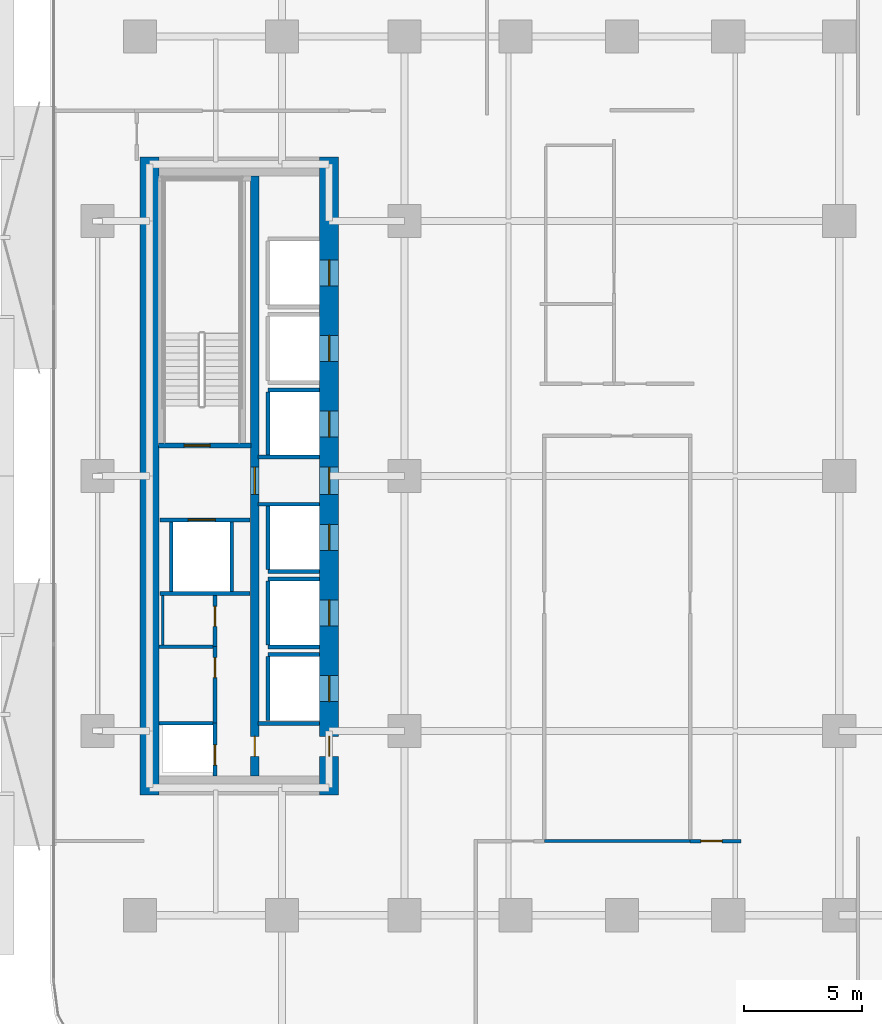
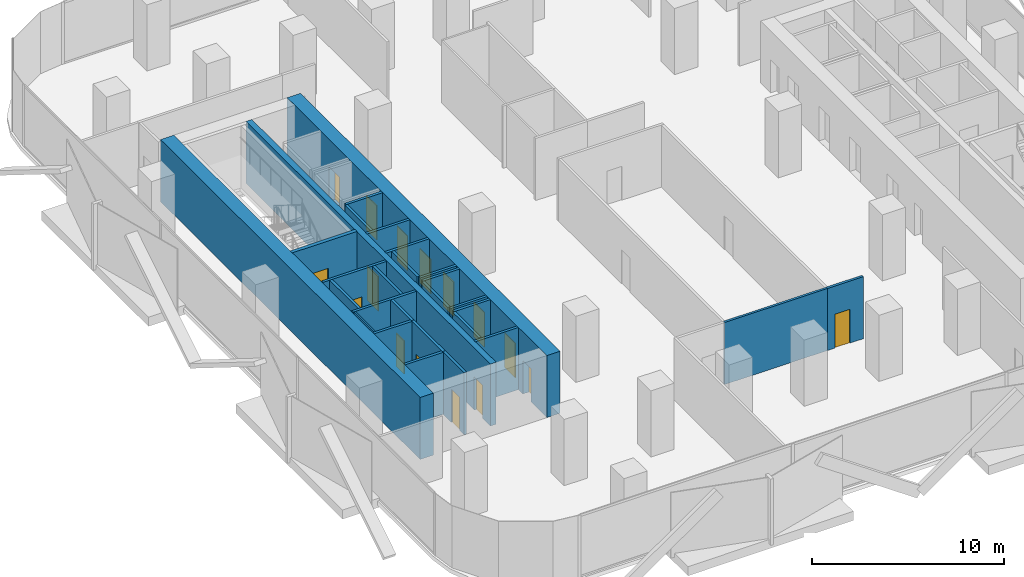
# One storey, part 3 of 15: 28 walls, 16 doors, 16 openings.
"""IFC4 building model written with IfcOpenShell, lengths in metres."""

from ifc_helpers import new_model, si_unit, direction, frame, frame_2d, origin, place, context, subcontext, project, spatial, rectangle, extrude, material, layer, layer_set, type_object, element, fill, save


model = new_model("IFC4")

# Units and contexts
model_context = context("Model", 3, precision=1e-05, world=origin(), true_north=direction((0.0, 1.0)))
body_context = subcontext(model_context, "Body", "Model", "MODEL_VIEW")
ifc_project = project(units=[si_unit("LENGTHUNIT", "METRE"), si_unit("AREAUNIT", "SQUARE_METRE"), si_unit("VOLUMEUNIT", "CUBIC_METRE"), si_unit("PLANEANGLEUNIT", "RADIAN"), si_unit("MASSUNIT", "GRAM", prefix="KILO")], contexts=[model_context])

# Site, building, storey
site_placement = place(None, origin())
site = spatial("IfcSite", under=ifc_project, at=site_placement, CompositionType="ELEMENT")
building_placement = place(site_placement, origin())
building = spatial("IfcBuilding", under=site, at=building_placement, Name="Khairoan Windgate Tower", CompositionType="ELEMENT")
storey_placement = place(building_placement, frame((0.0, 0.0, 38.60009765625)))
storey = spatial("IfcBuildingStorey", under=building, at=storey_placement, Name="L09", CompositionType="ELEMENT", Elevation=38.60009765625)

# Walls
ifc_material_1 = material(Name="Moisture-Resistant Gypsum Partition", Category="gypsum")
ifc_layer_1 = layer(ifc_material_1, 0.10009765625, Name="Moisture-Resistant Gypsum Partition")
ifc_layer_set_1 = layer_set([ifc_layer_1], Name="Moisture-Resistant Gypsum Partition")
wall_type_1 = type_object("IfcWallType", Name="Bathroom Wet-Area Partition Wall", PredefinedType="PARTITIONING", material=ifc_layer_set_1)
wall_1_placement = place(storey_placement, frame((-19.449951171875, -7.14990234375, 0.0), z_axis=(0.0, 0.0, 1.0), x_axis=(0.0, 1.0, 0.0)))
element("IfcWall", 1, at=wall_1_placement, inside=storey, type_object=wall_type_1, Name="L09 Wet Room Side Wall 036", PredefinedType="PARTITIONING", context=body_context, shape_type="SweptSolid", body=[
    extrude(rectangle(XDim=2.08984375, YDim=0.10009765625, at=frame_2d((1.044921875, 0.0))), origin(), (0.0, 0.0, 1.0), 3.93994140625),
])
ifc_material_2 = material(Name="Concrete C40/50", Category="concrete")
ifc_layer_2 = layer(ifc_material_2, 0.159912109375, Name="Concrete C40/50")
ifc_layer_set_2 = layer_set([ifc_layer_2], Name="Concrete C40/50")
wall_type_2 = type_object("IfcWallType", Name="Core and Hoistway Enclosure Wall", PredefinedType="STANDARD", material=ifc_layer_set_2)
wall_2_placement = place(storey_placement, frame((-14.989990234375, 3.639892578125, 0.0), z_axis=(0.0, 0.0, 1.0), x_axis=(1.0, 0.0, 0.0)))
element("IfcWall", 2, at=wall_2_placement, inside=storey, type_object=wall_type_2, Name="L09 Lift PL3 Hoistway Divider N", PredefinedType="STANDARD", context=body_context, shape_type="SweptSolid", body=[
    extrude(rectangle(XDim=2.18994140625, YDim=0.159912109375, at=frame_2d((1.094970703125, 0.0))), origin(), (0.0, 0.0, 1.0), 3.93994140625),
])
wall_3_placement = place(storey_placement, frame((-14.989990234375, 0.85009765625, 0.0), z_axis=(0.0, 0.0, 1.0), x_axis=(0.0, 1.0, 0.0)))
element("IfcWall", 3, at=wall_3_placement, inside=storey, type_object=wall_type_2, Name="L09 Lift PL3 Hoistway Back Wall", PredefinedType="STANDARD", context=body_context, shape_type="SweptSolid", body=[
    extrude(rectangle(XDim=2.699951171875, YDim=0.159912109375, at=frame_2d((1.35009765625, 0.0))), origin(), (0.0, 0.0, 1.0), 3.93994140625),
])
wall_4_placement = place(storey_placement, frame((-14.989990234375, -4.0400390625, 0.0), z_axis=(0.0, 0.0, 1.0), x_axis=(1.0, 0.0, 0.0)))
element("IfcWall", 4, at=wall_4_placement, inside=storey, type_object=wall_type_2, Name="L09 Lift PL4 Hoistway Divider S", PredefinedType="STANDARD", context=body_context, shape_type="SweptSolid", body=[
    extrude(rectangle(XDim=2.18994140625, YDim=0.159912109375, at=frame_2d((1.094970703125, 0.0))), origin(), (0.0, 0.0, 1.0), 3.93994140625),
])
wall_5_placement = place(storey_placement, frame((-14.989990234375, -3.949951171875, 0.0), z_axis=(0.0, 0.0, 1.0), x_axis=(0.0, 1.0, 0.0)))
element("IfcWall", 5, at=wall_5_placement, inside=storey, type_object=wall_type_2, Name="L09 Lift PL4 Hoistway Back Wall", PredefinedType="STANDARD", context=body_context, shape_type="SweptSolid", body=[
    extrude(rectangle(XDim=2.699951171875, YDim=0.159912109375, at=frame_2d((1.35009765625, 0.0))), origin(), (0.0, 0.0, 1.0), 3.93994140625),
])
for number, where, z_axis, x_axis, name in (
    (6, (-14.989990234375, -7.239990234375, 0.0), (0.0, 0.0, 1.0), (1.0, 0.0, 0.0), "L09 Lift PL5 Hoistway Divider S"),
    (7, (-14.989990234375, -4.360107421875, 0.0), (0.0, 0.0, 1.0), (1.0, 0.0, 0.0), "L09 Lift PL5 Hoistway Divider N"),
):
    element("IfcWall", number, at=place(storey_placement, frame(where, z_axis=z_axis, x_axis=x_axis)), inside=storey, type_object=wall_type_2, Name=name, PredefinedType="STANDARD", context=body_context, shape_type="SweptSolid", body=[
        extrude(rectangle(XDim=2.18994140625, YDim=0.159912109375, at=frame_2d((1.094970703125, 0.0))), origin(), (0.0, 0.0, 1.0), 3.93994140625),
    ])
wall_6_placement = place(storey_placement, frame((-14.989990234375, -7.14990234375, 0.0), z_axis=(0.0, 0.0, 1.0), x_axis=(0.0, 1.0, 0.0)))
element("IfcWall", 8, at=wall_6_placement, inside=storey, type_object=wall_type_2, Name="L09 Lift PL5 Hoistway Back Wall", PredefinedType="STANDARD", context=body_context, shape_type="SweptSolid", body=[
    extrude(rectangle(XDim=2.699951171875, YDim=0.159912109375, at=frame_2d((1.35009765625, 0.0))), origin(), (0.0, 0.0, 1.0), 3.93994140625),
])
wall_7_placement = place(storey_placement, frame((-14.989990234375, -7.56005859375, 0.0), z_axis=(0.0, 0.0, 1.0), x_axis=(1.0, 0.0, 0.0)))
element("IfcWall", 9, at=wall_7_placement, inside=storey, type_object=wall_type_2, Name="L09 Lift PL6 Hoistway Divider N", PredefinedType="STANDARD", context=body_context, shape_type="SweptSolid", body=[
    extrude(rectangle(XDim=2.18994140625, YDim=0.159912109375, at=frame_2d((1.094970703125, 0.0))), origin(), (0.0, 0.0, 1.0), 3.93994140625),
])
wall_8_placement = place(storey_placement, frame((-14.989990234375, -10.35009765625, 0.0), z_axis=(0.0, 0.0, 1.0), x_axis=(0.0, 1.0, 0.0)))
element("IfcWall", 10, at=wall_8_placement, inside=storey, type_object=wall_type_2, Name="L09 Lift PL6 Hoistway Back Wall", PredefinedType="STANDARD", context=body_context, shape_type="SweptSolid", body=[
    extrude(rectangle(XDim=2.7001953125, YDim=0.159912109375, at=frame_2d((1.35009765625, 0.0))), origin(), (0.0, 0.0, 1.0), 3.93994140625),
])

# Wall, opening, door
wall_9_placement = place(storey_placement, frame((-19.550048828125, -1.860107421875, 0.0), z_axis=(0.0, 0.0, 1.0), x_axis=(1.0, 0.0, 0.0)))
wall_9 = element("IfcWall", 11, at=wall_9_placement, inside=storey, type_object=wall_type_2, Name="L09 Core Shaft Wall SW-FL2-L09", PredefinedType="STANDARD", context=body_context, shape_type="SweptSolid", body=[
    extrude(rectangle(XDim=3.800048828125, YDim=0.159912109375, at=frame_2d((1.89990234375, 0.0))), origin(), (0.0, 0.0, 1.0), 3.93994140625),
])
opening_1_placement = place(wall_9_placement, frame((1.179931640625, 0.0, 0.0)))
opening_1 = element("IfcOpeningElement", 12, at=opening_1_placement, cuts=wall_9, Name="Opening LD-FL", PredefinedType="OPENING", context=body_context, shape_type="SweptSolid", body=[
    extrude(rectangle(XDim=1.14990234375, YDim=2.199951171875, at=frame_2d((0.574951171875, 1.10009765625))), frame((0.0, 0.08984375, 0.0), z_axis=(0.0, -1.0, 0.0), x_axis=(1.0, 0.0, 0.0)), (0.0, 0.0, 1.0), 0.179931640625),
])
ifc_material_3 = material(Name="Steel S355", Category="steel")
door_type_1 = type_object("IfcDoorType", Name="Firefighting Lift Sliding Landing Door LD-FL 1150x2200", OperationType="DOUBLE_DOOR_SLIDING", PredefinedType="DOOR", material=ifc_material_3)
door_1_placement = place(opening_1_placement, origin())
door_1 = element("IfcDoor", 13, at=door_1_placement, inside=storey, type_object=door_type_1, Name="L09 Firefighting Lift FL2 Landing Door", OperationType="DOUBLE_DOOR_SLIDING", OverallHeight=2.199951171875, OverallWidth=1.14990234375, PredefinedType="DOOR", context=body_context, shape_type="SweptSolid", body=[
    extrude(rectangle(XDim=1.14990234375, YDim=2.199951171875, at=frame_2d((0.574951171875, 1.10009765625))), frame((0.0, 0.02490234375, 0.0), z_axis=(0.0, -1.0, 0.0), x_axis=(1.0, 0.0, 0.0)), (0.0, 0.0, 1.0), 0.050048828125),
])
fill(opening_1, door_1)

# Walls
wall_10_placement = place(storey_placement, frame((-19.550048828125, -4.97998046875, 0.0), z_axis=(0.0, 0.0, 1.0), x_axis=(1.0, 0.0, 0.0)))
element("IfcWall", 14, at=wall_10_placement, inside=storey, type_object=wall_type_2, Name="L09 Core Shaft Wall SW-FL2B-L09", PredefinedType="STANDARD", context=body_context, shape_type="SweptSolid", body=[
    extrude(rectangle(XDim=3.800048828125, YDim=0.159912109375, at=frame_2d((1.89990234375, 0.0))), origin(), (0.0, 0.0, 1.0), 3.93994140625),
])
for number, where, z_axis, x_axis, name in (
    (15, (-19.080078125, -4.89990234375, 0.0), (0.0, 0.0, 1.0), (0.0, 1.0, 0.0), "L09 Core Shaft Wall SW-FL2W-L09"),
    (16, (-16.52001953125, -4.89990234375, 0.0), (0.0, 0.0, 1.0), (0.0, 1.0, 0.0), "L09 Core Shaft Wall SW-FL2E-L09"),
):
    element("IfcWall", number, at=place(storey_placement, frame(where, z_axis=z_axis, x_axis=x_axis)), inside=storey, type_object=wall_type_2, Name=name, PredefinedType="STANDARD", context=body_context, shape_type="SweptSolid", body=[
        extrude(rectangle(XDim=2.9599609375, YDim=0.159912109375, at=frame_2d((1.47998046875, 0.0))), origin(), (0.0, 0.0, 1.0), 3.93994140625),
    ])
for number, where, z_axis, x_axis, name in (
    (17, (-15.39990234375, 0.800048828125, 0.0), (0.0, 0.0, 1.0), (1.0, 0.0, 0.0), "L09 Core Shaft Wall SW-WV1-L09"),
    (18, (-15.39990234375, -1.199951171875, 0.0), (0.0, 0.0, 1.0), (1.0, 0.0, 0.0), "L09 Core Shaft Wall SW-WV2-L09"),
    (19, (-15.39990234375, -10.47998046875, 0.0), (0.0, 0.0, 1.0), (1.0, 0.0, 0.0), "L09 Core Shaft Wall SW-WSV-L09"),
):
    element("IfcWall", number, at=place(storey_placement, frame(where, z_axis=z_axis, x_axis=x_axis)), inside=storey, type_object=wall_type_2, Name=name, PredefinedType="STANDARD", context=body_context, shape_type="SweptSolid", body=[
        extrude(rectangle(XDim=2.599853515625, YDim=0.159912109375, at=frame_2d((1.2998046875, 0.0))), origin(), (0.0, 0.0, 1.0), 3.93994140625),
    ])
ifc_material_4 = material(Name="Acoustic Fire-Rated Gypsum Partition", Category="gypsum")
ifc_layer_3 = layer(ifc_material_4, 0.139892578125, Name="Acoustic Fire-Rated Gypsum Partition")
ifc_layer_set_3 = layer_set([ifc_layer_3], Name="Acoustic Fire-Rated Gypsum Partition")
wall_type_3 = type_object("IfcWallType", Name="Inter-Tenancy Compartment Wall", PredefinedType="PARTITIONING", material=ifc_layer_set_3)
wall_11_placement = place(storey_placement, frame((-3.284912109375, -15.4599609375, 0.0), z_axis=(0.0, 0.0, 1.0), x_axis=(1.0, 0.0, 0.0)))
element("IfcWall", 20, at=wall_11_placement, inside=storey, type_object=wall_type_3, Name="L09 Interior Partition 032", PredefinedType="PARTITIONING", context=body_context, shape_type="SweptSolid", body=[
    extrude(rectangle(XDim=6.169921875, YDim=0.139892578125, at=frame_2d((3.0849609375, 0.0))), origin(), (0.0, 0.0, 1.0), 3.93994140625),
])

# Wall, opening, door
ifc_material_5 = material(Name="Concrete C40/50", Category="concrete")
ifc_layer_4 = layer(ifc_material_5, 0.159912109375, Name="Concrete C40/50")
ifc_layer_set_4 = layer_set([ifc_layer_4], Name="Concrete C40/50")
wall_type_4 = type_object("IfcWallType", Name="Plant and Refuge Compartment Wall", PredefinedType="PARTITIONING", material=ifc_layer_set_4)
wall_12_placement = place(storey_placement, frame((-17.22998046875, -12.699951171875, 0.0), z_axis=(0.0, 0.0, 1.0), x_axis=(0.0, 1.0, 0.0)))
wall_12 = element("IfcWall", 21, at=wall_12_placement, inside=storey, type_object=wall_type_4, Name="L09 Interior Partition 001", PredefinedType="PARTITIONING", context=body_context, shape_type="SweptSolid", body=[
    extrude(rectangle(XDim=2.22998046875, YDim=0.159912109375, at=frame_2d((1.114990234375, 0.0))), origin(), (0.0, 0.0, 1.0), 3.93994140625),
])
opening_2_placement = place(wall_12_placement, frame((0.4599609375, 0.0, 0.0)))
opening_2 = element("IfcOpeningElement", 22, at=opening_2_placement, cuts=wall_12, Name="Opening FD-SRV", PredefinedType="OPENING", context=body_context, shape_type="SweptSolid", body=[
    extrude(rectangle(XDim=0.85009765625, YDim=2.10009765625, at=frame_2d((0.425048828125, 1.050048828125))), frame((0.0, 0.08984375, 0.0), z_axis=(0.0, -1.0, 0.0), x_axis=(1.0, 0.0, 0.0)), (0.0, 0.0, 1.0), 0.179931640625),
])
ifc_material_6 = material(Name="Steel S355", Category="steel")
door_type_2 = type_object("IfcDoorType", Name="Core Service and Riser Fire Door FD-SRV 850x2100", OperationType="NOTDEFINED", PredefinedType="DOOR", material=ifc_material_6)
door_2_placement = place(opening_2_placement, origin())
door_2 = element("IfcDoor", 23, at=door_2_placement, inside=storey, type_object=door_type_2, Name="L09 L09-04-L09-05 Door", OperationType="SINGLE_SWING_RIGHT", OverallHeight=2.10009765625, OverallWidth=0.85009765625, PredefinedType="DOOR", context=body_context, shape_type="SweptSolid", body=[
    extrude(rectangle(XDim=0.85009765625, YDim=2.10009765625, at=frame_2d((0.425048828125, 1.050048828125))), frame((0.0, 0.02490234375, 0.0), z_axis=(0.0, -1.0, 0.0), x_axis=(1.0, 0.0, 0.0)), (0.0, 0.0, 1.0), 0.050048828125),
])
fill(opening_2, door_2)

wall_13_placement = place(storey_placement, frame((-17.22998046875, -7.22998046875, 0.0), z_axis=(0.0, 0.0, 1.0), x_axis=(0.0, 1.0, 0.0)))
wall_13 = element("IfcWall", 24, at=wall_13_placement, inside=storey, type_object=wall_type_4, Name="L09 Interior Partition 002", PredefinedType="PARTITIONING", context=body_context, shape_type="SweptSolid", body=[
    extrude(rectangle(XDim=2.169921875, YDim=0.159912109375, at=frame_2d((1.0849609375, 0.0))), origin(), (0.0, 0.0, 1.0), 3.93994140625),
])
opening_3_placement = place(wall_13_placement, frame((0.860107421875, 0.0, 0.0)))
opening_3 = element("IfcOpeningElement", 25, at=opening_3_placement, cuts=wall_13, Name="Opening FD-SRV", PredefinedType="OPENING", context=body_context, shape_type="SweptSolid", body=[
    extrude(rectangle(XDim=0.85009765625, YDim=2.10009765625, at=frame_2d((0.425048828125, 1.050048828125))), frame((0.0, 0.08984375, 0.0), z_axis=(0.0, -1.0, 0.0), x_axis=(1.0, 0.0, 0.0)), (0.0, 0.0, 1.0), 0.179931640625),
])
door_3_placement = place(opening_3_placement, origin())
door_3 = element("IfcDoor", 26, at=door_3_placement, inside=storey, type_object=door_type_2, Name="L09 L09-04-L09-06 Door", OperationType="SINGLE_SWING_LEFT", OverallHeight=2.10009765625, OverallWidth=0.85009765625, PredefinedType="DOOR", context=body_context, shape_type="SweptSolid", body=[
    extrude(rectangle(XDim=0.85009765625, YDim=2.10009765625, at=frame_2d((0.425048828125, 1.050048828125))), frame((0.0, 0.02490234375, 0.0), z_axis=(0.0, -1.0, 0.0), x_axis=(1.0, 0.0, 0.0)), (0.0, 0.0, 1.0), 0.050048828125),
])
fill(opening_3, door_3)

wall_14_placement = place(storey_placement, frame((-17.22998046875, -10.469970703125, 0.0), z_axis=(0.0, 0.0, 1.0), x_axis=(0.0, 1.0, 0.0)))
wall_14 = element("IfcWall", 27, at=wall_14_placement, inside=storey, type_object=wall_type_4, Name="L09 Interior Partition 003", PredefinedType="PARTITIONING", context=body_context, shape_type="SweptSolid", body=[
    extrude(rectangle(XDim=3.239990234375, YDim=0.159912109375, at=frame_2d((1.6201171875, 0.0))), origin(), (0.0, 0.0, 1.0), 3.93994140625),
])
opening_4_placement = place(wall_14_placement, frame((1.929931640625, 0.0, 0.0)))
opening_4 = element("IfcOpeningElement", 28, at=opening_4_placement, cuts=wall_14, Name="Opening FD-SRV", PredefinedType="OPENING", context=body_context, shape_type="SweptSolid", body=[
    extrude(rectangle(XDim=0.85009765625, YDim=2.10009765625, at=frame_2d((0.425048828125, 1.050048828125))), frame((0.0, 0.08984375, 0.0), z_axis=(0.0, -1.0, 0.0), x_axis=(1.0, 0.0, 0.0)), (0.0, 0.0, 1.0), 0.179931640625),
])
door_4_placement = place(opening_4_placement, origin())
door_4 = element("IfcDoor", 29, at=door_4_placement, inside=storey, type_object=door_type_2, Name="L09 L09-04-L09-07 Door", OperationType="SINGLE_SWING_RIGHT", OverallHeight=2.10009765625, OverallWidth=0.85009765625, PredefinedType="DOOR", context=body_context, shape_type="SweptSolid", body=[
    extrude(rectangle(XDim=0.85009765625, YDim=2.10009765625, at=frame_2d((0.425048828125, 1.050048828125))), frame((0.0, 0.02490234375, 0.0), z_axis=(0.0, -1.0, 0.0), x_axis=(1.0, 0.0, 0.0)), (0.0, 0.0, 1.0), 0.050048828125),
])
fill(opening_4, door_4)

# Walls
for number, where, z_axis, x_axis, name in (
    (30, (-19.60009765625, -10.469970703125, 0.0), (0.0, 0.0, 1.0), (1.0, 0.0, 0.0), "L09 Interior Partition 004"),
    (31, (-19.60009765625, -7.22998046875, 0.0), (0.0, 0.0, 1.0), (1.0, 0.0, 0.0), "L09 Interior Partition 005"),
):
    element("IfcWall", number, at=place(storey_placement, frame(where, z_axis=z_axis, x_axis=x_axis)), inside=storey, type_object=wall_type_4, Name=name, PredefinedType="PARTITIONING", context=body_context, shape_type="SweptSolid", body=[
        extrude(rectangle(XDim=2.2900390625, YDim=0.159912109375, at=frame_2d((1.14501953125, 0.0))), origin(), (0.0, 0.0, 1.0), 3.93994140625),
    ])

# Wall, opening, door
ifc_material_7 = material(Name="Acoustic Fire-Rated Gypsum Partition", Category="gypsum")
ifc_layer_5 = layer(ifc_material_7, 0.14990234375, Name="Acoustic Fire-Rated Gypsum Partition")
ifc_layer_set_5 = layer_set([ifc_layer_5], Name="Acoustic Fire-Rated Gypsum Partition")
wall_type_5 = type_object("IfcWallType", Name="Rated Corridor Partition Wall", PredefinedType="PARTITIONING", material=ifc_layer_set_5)
wall_15_placement = place(storey_placement, frame((2.885009765625, -15.4599609375, 0.0), z_axis=(0.0, 0.0, 1.0), x_axis=(1.0, 0.0, 0.0)))
wall_15 = element("IfcWall", 32, at=wall_15_placement, inside=storey, type_object=wall_type_5, Name="L09 Interior Partition 017", PredefinedType="PARTITIONING", context=body_context, shape_type="SweptSolid", body=[
    extrude(rectangle(XDim=2.155029296875, YDim=0.14990234375, at=frame_2d((1.07763671875, 0.0))), origin(), (0.0, 0.0, 1.0), 3.93994140625),
])
opening_5_placement = place(wall_15_placement, frame((0.4599609375, 0.0, 0.0)))
opening_5 = element("IfcOpeningElement", 33, at=opening_5_placement, cuts=wall_15, Name="Opening FD-ENT", PredefinedType="OPENING", context=body_context, shape_type="SweptSolid", body=[
    extrude(rectangle(XDim=0.89990234375, YDim=2.14990234375, at=frame_2d((0.449951171875, 1.074951171875))), frame((0.0, 0.0849609375, 0.0), z_axis=(0.0, -1.0, 0.0), x_axis=(1.0, 0.0, 0.0)), (0.0, 0.0, 1.0), 0.169921875),
])
ifc_material_8 = material(Name="Timber Fire-Rated Core", Category="wood")
door_type_3 = type_object("IfcDoorType", Name="Unit and Office Fire Entrance Door FD-ENT 900x2150", OperationType="NOTDEFINED", PredefinedType="DOOR", material=ifc_material_8)
door_5_placement = place(opening_5_placement, origin())
door_5 = element("IfcDoor", 34, at=door_5_placement, inside=storey, type_object=door_type_3, Name="L09 L09-33-L09-43 Door", OperationType="SINGLE_SWING_RIGHT", OverallHeight=2.14990234375, OverallWidth=0.89990234375, PredefinedType="DOOR", context=body_context, shape_type="SweptSolid", body=[
    extrude(rectangle(XDim=0.89990234375, YDim=2.14990234375, at=frame_2d((0.449951171875, 1.074951171875))), frame((0.0, 0.02490234375, 0.0), z_axis=(0.0, -1.0, 0.0), x_axis=(1.0, 0.0, 0.0)), (0.0, 0.0, 1.0), 0.050048828125),
])
fill(opening_5, door_5)

# Wall
ifc_material_9 = material(Name="Concrete C70/85", Category="concrete")
ifc_layer_6 = layer(ifc_material_9, 0.800048828125, Name="Concrete C70/85")
ifc_layer_set_6 = layer_set([ifc_layer_6], Name="Concrete C70/85")
wall_type_6 = type_object("IfcWallType", Name="Shear Wall CW-W1 800mm", PredefinedType="SHEAR", material=ifc_layer_set_6)
wall_16_placement = place(storey_placement, frame((-20.0, -13.5, 0.0), z_axis=(0.0, 0.0, 1.0), x_axis=(0.0, 1.0, 0.0)))
element("IfcWall", 35, at=wall_16_placement, inside=storey, type_object=wall_type_6, Name="W Core West Shear Wall L09", PredefinedType="SHEAR", context=body_context, shape_type="SweptSolid", body=[
    extrude(rectangle(XDim=27.0, YDim=0.800048828125, at=frame_2d((13.5, 0.0))), origin(), (0.0, 0.0, 1.0), 3.93994140625),
])

# Wall, openings, doors
wall_17_placement = place(storey_placement, frame((-12.39990234375, -13.5, 0.0), z_axis=(0.0, 0.0, 1.0), x_axis=(0.0, 1.0, 0.0)))
wall_17 = element("IfcWall", 36, at=wall_17_placement, inside=storey, type_object=wall_type_6, Name="W Core East Shear Wall L09", PredefinedType="SHEAR", context=body_context, shape_type="SweptSolid", body=[
    extrude(rectangle(XDim=27.0, YDim=0.800048828125, at=frame_2d((13.5, 0.0))), origin(), (0.0, 0.0, 1.0), 3.93994140625),
])
opening_6_placement = place(wall_17_placement, frame((21.550048828125, 0.0, 0.0)))
opening_6 = element("IfcOpeningElement", 37, at=opening_6_placement, cuts=wall_17, Name="Opening LD-PL", PredefinedType="OPENING", context=body_context, shape_type="SweptSolid", body=[
    extrude(rectangle(XDim=1.10009765625, YDim=2.199951171875, at=frame_2d((0.550048828125, 1.10009765625))), frame((0.0, 0.409912109375, 0.0), z_axis=(0.0, -1.0, 0.0), x_axis=(1.0, 0.0, 0.0)), (0.0, 0.0, 1.0), 0.820068359375),
])
opening_7_placement = place(wall_17_placement, frame((18.35009765625, 0.0, 0.0)))
opening_7 = element("IfcOpeningElement", 38, at=opening_7_placement, cuts=wall_17, Name="Opening LD-PL", PredefinedType="OPENING", context=body_context, shape_type="SweptSolid", body=[
    extrude(rectangle(XDim=1.10009765625, YDim=2.199951171875, at=frame_2d((0.550048828125, 1.10009765625))), frame((0.0, 0.409912109375, 0.0), z_axis=(0.0, -1.0, 0.0), x_axis=(1.0, 0.0, 0.0)), (0.0, 0.0, 1.0), 0.820068359375),
])
opening_8_placement = place(wall_17_placement, frame((15.14990234375, 0.0, 0.0)))
opening_8 = element("IfcOpeningElement", 39, at=opening_8_placement, cuts=wall_17, Name="Opening LD-PL", PredefinedType="OPENING", context=body_context, shape_type="SweptSolid", body=[
    extrude(rectangle(XDim=1.10009765625, YDim=2.199951171875, at=frame_2d((0.550048828125, 1.10009765625))), frame((0.0, 0.409912109375, 0.0), z_axis=(0.0, -1.0, 0.0), x_axis=(1.0, 0.0, 0.0)), (0.0, 0.0, 1.0), 0.820068359375),
])
opening_9_placement = place(wall_17_placement, frame((10.35009765625, 0.0, 0.0)))
opening_9 = element("IfcOpeningElement", 40, at=opening_9_placement, cuts=wall_17, Name="Opening LD-PL", PredefinedType="OPENING", context=body_context, shape_type="SweptSolid", body=[
    extrude(rectangle(XDim=1.10009765625, YDim=2.199951171875, at=frame_2d((0.550048828125, 1.10009765625))), frame((0.0, 0.409912109375, 0.0), z_axis=(0.0, -1.0, 0.0), x_axis=(1.0, 0.0, 0.0)), (0.0, 0.0, 1.0), 0.820068359375),
])
opening_10_placement = place(wall_17_placement, frame((7.14990234375, 0.0, 0.0)))
opening_10 = element("IfcOpeningElement", 41, at=opening_10_placement, cuts=wall_17, Name="Opening LD-PL", PredefinedType="OPENING", context=body_context, shape_type="SweptSolid", body=[
    extrude(rectangle(XDim=1.10009765625, YDim=2.199951171875, at=frame_2d((0.550048828125, 1.10009765625))), frame((0.0, 0.409912109375, 0.0), z_axis=(0.0, -1.0, 0.0), x_axis=(1.0, 0.0, 0.0)), (0.0, 0.0, 1.0), 0.820068359375),
])
opening_11_placement = place(wall_17_placement, frame((3.949951171875, 0.0, 0.0)))
opening_11 = element("IfcOpeningElement", 42, at=opening_11_placement, cuts=wall_17, Name="Opening LD-PL", PredefinedType="OPENING", context=body_context, shape_type="SweptSolid", body=[
    extrude(rectangle(XDim=1.10009765625, YDim=2.199951171875, at=frame_2d((0.550048828125, 1.10009765625))), frame((0.0, 0.409912109375, 0.0), z_axis=(0.0, -1.0, 0.0), x_axis=(1.0, 0.0, 0.0)), (0.0, 0.0, 1.0), 0.820068359375),
])
opening_12_placement = place(wall_17_placement, frame((12.72509765625, 0.0, 0.0)))
opening_12 = element("IfcOpeningElement", 43, at=opening_12_placement, cuts=wall_17, Name="Opening FD-FFL", PredefinedType="OPENING", context=body_context, shape_type="SweptSolid", body=[
    extrude(rectangle(XDim=1.14990234375, YDim=2.199951171875, at=frame_2d((0.574951171875, 1.10009765625))), frame((0.0, 0.409912109375, 0.0), z_axis=(0.0, -1.0, 0.0), x_axis=(1.0, 0.0, 0.0)), (0.0, 0.0, 1.0), 0.820068359375),
])
opening_13_placement = place(wall_17_placement, frame((1.625, 0.0, 0.0)))
opening_13 = element("IfcOpeningElement", 44, at=opening_13_placement, cuts=wall_17, Name="Opening FD-SRV", PredefinedType="OPENING", context=body_context, shape_type="SweptSolid", body=[
    extrude(rectangle(XDim=0.85009765625, YDim=2.10009765625, at=frame_2d((0.425048828125, 1.050048828125))), frame((0.0, 0.409912109375, 0.0), z_axis=(0.0, -1.0, 0.0), x_axis=(1.0, 0.0, 0.0)), (0.0, 0.0, 1.0), 0.820068359375),
])
door_6_placement = place(opening_13_placement, origin())
door_6 = element("IfcDoor", 45, at=door_6_placement, inside=storey, type_object=door_type_2, Name="L09 West Core Service Vestibule Outer Door", OperationType="SINGLE_SWING_RIGHT", OverallHeight=2.10009765625, OverallWidth=0.85009765625, PredefinedType="DOOR", context=body_context, shape_type="SweptSolid", body=[
    extrude(rectangle(XDim=0.85009765625, YDim=2.10009765625, at=frame_2d((0.425048828125, 1.050048828125))), frame((0.0, 0.02490234375, 0.0), z_axis=(0.0, -1.0, 0.0), x_axis=(1.0, 0.0, 0.0)), (0.0, 0.0, 1.0), 0.050048828125),
])
fill(opening_13, door_6)
ifc_material_10 = material(Name="Steel S355", Category="steel")
door_type_4 = type_object("IfcDoorType", Name="Firefighting Lobby Fire Door FD-FFL 1150x2200", OperationType="NOTDEFINED", PredefinedType="DOOR", material=ifc_material_10)
door_7_placement = place(opening_12_placement, origin())
door_7 = element("IfcDoor", 46, at=door_7_placement, inside=storey, type_object=door_type_4, Name="L09 West Core Vestibule Entry Door", OperationType="SINGLE_SWING_RIGHT", OverallHeight=2.199951171875, OverallWidth=1.14990234375, PredefinedType="DOOR", context=body_context, shape_type="SweptSolid", body=[
    extrude(rectangle(XDim=1.14990234375, YDim=2.199951171875, at=frame_2d((0.574951171875, 1.10009765625))), frame((0.0, 0.02490234375, 0.0), z_axis=(0.0, -1.0, 0.0), x_axis=(1.0, 0.0, 0.0)), (0.0, 0.0, 1.0), 0.050048828125),
])
fill(opening_12, door_7)
ifc_material_11 = material(Name="Anodised Bronze Aluminium 6063-T6", Category="aluminium")
door_type_5 = type_object("IfcDoorType", Name="Passenger Lift Sliding Landing Door LD-PL 1100x2200", OperationType="DOUBLE_DOOR_SLIDING", PredefinedType="DOOR", material=ifc_material_11)
door_8_placement = place(opening_6_placement, origin())
door_8 = element("IfcDoor", 47, at=door_8_placement, inside=storey, type_object=door_type_5, Name="L09 Lift PL1 Sliding Landing Door", OperationType="DOUBLE_DOOR_SLIDING", OverallHeight=2.199951171875, OverallWidth=1.10009765625, PredefinedType="DOOR", context=body_context, shape_type="SweptSolid", body=[
    extrude(rectangle(XDim=1.10009765625, YDim=2.199951171875, at=frame_2d((0.550048828125, 1.10009765625))), frame((0.0, 0.02490234375, 0.0), z_axis=(0.0, -1.0, 0.0), x_axis=(1.0, 0.0, 0.0)), (0.0, 0.0, 1.0), 0.050048828125),
])
fill(opening_6, door_8)
door_9_placement = place(opening_7_placement, origin())
door_9 = element("IfcDoor", 48, at=door_9_placement, inside=storey, type_object=door_type_5, Name="L09 Lift PL2 Sliding Landing Door", OperationType="DOUBLE_DOOR_SLIDING", OverallHeight=2.199951171875, OverallWidth=1.10009765625, PredefinedType="DOOR", context=body_context, shape_type="SweptSolid", body=[
    extrude(rectangle(XDim=1.10009765625, YDim=2.199951171875, at=frame_2d((0.550048828125, 1.10009765625))), frame((0.0, 0.02490234375, 0.0), z_axis=(0.0, -1.0, 0.0), x_axis=(1.0, 0.0, 0.0)), (0.0, 0.0, 1.0), 0.050048828125),
])
fill(opening_7, door_9)
door_10_placement = place(opening_8_placement, origin())
door_10 = element("IfcDoor", 49, at=door_10_placement, inside=storey, type_object=door_type_5, Name="L09 Lift PL3 Sliding Landing Door", OperationType="DOUBLE_DOOR_SLIDING", OverallHeight=2.199951171875, OverallWidth=1.10009765625, PredefinedType="DOOR", context=body_context, shape_type="SweptSolid", body=[
    extrude(rectangle(XDim=1.10009765625, YDim=2.199951171875, at=frame_2d((0.550048828125, 1.10009765625))), frame((0.0, 0.02490234375, 0.0), z_axis=(0.0, -1.0, 0.0), x_axis=(1.0, 0.0, 0.0)), (0.0, 0.0, 1.0), 0.050048828125),
])
fill(opening_8, door_10)
door_11_placement = place(opening_9_placement, origin())
door_11 = element("IfcDoor", 50, at=door_11_placement, inside=storey, type_object=door_type_5, Name="L09 Lift PL4 Sliding Landing Door", OperationType="DOUBLE_DOOR_SLIDING", OverallHeight=2.199951171875, OverallWidth=1.10009765625, PredefinedType="DOOR", context=body_context, shape_type="SweptSolid", body=[
    extrude(rectangle(XDim=1.10009765625, YDim=2.199951171875, at=frame_2d((0.550048828125, 1.10009765625))), frame((0.0, 0.02490234375, 0.0), z_axis=(0.0, -1.0, 0.0), x_axis=(1.0, 0.0, 0.0)), (0.0, 0.0, 1.0), 0.050048828125),
])
fill(opening_9, door_11)
door_12_placement = place(opening_10_placement, origin())
door_12 = element("IfcDoor", 51, at=door_12_placement, inside=storey, type_object=door_type_5, Name="L09 Lift PL5 Sliding Landing Door", OperationType="DOUBLE_DOOR_SLIDING", OverallHeight=2.199951171875, OverallWidth=1.10009765625, PredefinedType="DOOR", context=body_context, shape_type="SweptSolid", body=[
    extrude(rectangle(XDim=1.10009765625, YDim=2.199951171875, at=frame_2d((0.550048828125, 1.10009765625))), frame((0.0, 0.02490234375, 0.0), z_axis=(0.0, -1.0, 0.0), x_axis=(1.0, 0.0, 0.0)), (0.0, 0.0, 1.0), 0.050048828125),
])
fill(opening_10, door_12)
door_13_placement = place(opening_11_placement, origin())
door_13 = element("IfcDoor", 52, at=door_13_placement, inside=storey, type_object=door_type_5, Name="L09 Lift PL6 Sliding Landing Door", OperationType="DOUBLE_DOOR_SLIDING", OverallHeight=2.199951171875, OverallWidth=1.10009765625, PredefinedType="DOOR", context=body_context, shape_type="SweptSolid", body=[
    extrude(rectangle(XDim=1.10009765625, YDim=2.199951171875, at=frame_2d((0.550048828125, 1.10009765625))), frame((0.0, 0.02490234375, 0.0), z_axis=(0.0, -1.0, 0.0), x_axis=(1.0, 0.0, 0.0)), (0.0, 0.0, 1.0), 0.050048828125),
])
fill(opening_11, door_13)

ifc_material_12 = material(Name="Concrete C60/75", Category="concrete")
ifc_layer_7 = layer(ifc_material_12, 0.35009765625, Name="Concrete C60/75")
ifc_layer_set_7 = layer_set([ifc_layer_7], Name="Concrete C60/75")
wall_type_7 = type_object("IfcWallType", Name="Shear Wall SW-1 350mm", PredefinedType="SHEAR", material=ifc_layer_set_7)
wall_18_placement = place(storey_placement, frame((-15.550048828125, -12.699951171875, 0.0), z_axis=(0.0, 0.0, 1.0), x_axis=(0.0, 1.0, 0.0)))
wall_18 = element("IfcWall", 53, at=wall_18_placement, inside=storey, type_object=wall_type_7, Name="W Core Spine Shear Wall L09", PredefinedType="SHEAR", context=body_context, shape_type="SweptSolid", body=[
    extrude(rectangle(XDim=25.39990234375, YDim=0.35009765625, at=frame_2d((12.699951171875, 0.0))), origin(), (0.0, 0.0, 1.0), 3.93994140625),
])
opening_14_placement = place(wall_18_placement, frame((11.925048828125, 0.0, 0.0)))
opening_14 = element("IfcOpeningElement", 54, at=opening_14_placement, cuts=wall_18, Name="Opening FD-FFL", PredefinedType="OPENING", context=body_context, shape_type="SweptSolid", body=[
    extrude(rectangle(XDim=1.14990234375, YDim=2.199951171875, at=frame_2d((0.574951171875, 1.10009765625))), frame((0.0, 0.18505859375, 0.0), z_axis=(0.0, -1.0, 0.0), x_axis=(1.0, 0.0, 0.0)), (0.0, 0.0, 1.0), 0.3701171875),
])
opening_15_placement = place(wall_18_placement, frame((0.824951171875, 0.0, 0.0)))
opening_15 = element("IfcOpeningElement", 55, at=opening_15_placement, cuts=wall_18, Name="Opening FD-SRV", PredefinedType="OPENING", context=body_context, shape_type="SweptSolid", body=[
    extrude(rectangle(XDim=0.85009765625, YDim=2.10009765625, at=frame_2d((0.425048828125, 1.050048828125))), frame((0.0, 0.18505859375, 0.0), z_axis=(0.0, -1.0, 0.0), x_axis=(1.0, 0.0, 0.0)), (0.0, 0.0, 1.0), 0.3701171875),
])
door_14_placement = place(opening_15_placement, origin())
door_14 = element("IfcDoor", 56, at=door_14_placement, inside=storey, type_object=door_type_2, Name="L09 West Core Service Passage Inner Door", OperationType="SINGLE_SWING_LEFT", OverallHeight=2.10009765625, OverallWidth=0.85009765625, PredefinedType="DOOR", context=body_context, shape_type="SweptSolid", body=[
    extrude(rectangle(XDim=0.85009765625, YDim=2.10009765625, at=frame_2d((0.425048828125, 1.050048828125))), frame((0.0, 0.02490234375, 0.0), z_axis=(0.0, -1.0, 0.0), x_axis=(1.0, 0.0, 0.0)), (0.0, 0.0, 1.0), 0.050048828125),
])
fill(opening_15, door_14)
door_15_placement = place(opening_14_placement, origin())
door_15 = element("IfcDoor", 57, at=door_15_placement, inside=storey, type_object=door_type_4, Name="L09 West Firefighting Lobby Fire Door", OperationType="SINGLE_SWING_LEFT", OverallHeight=2.199951171875, OverallWidth=1.14990234375, PredefinedType="DOOR", context=body_context, shape_type="SweptSolid", body=[
    extrude(rectangle(XDim=1.14990234375, YDim=2.199951171875, at=frame_2d((0.574951171875, 1.10009765625))), frame((0.0, 0.02490234375, 0.0), z_axis=(0.0, -1.0, 0.0), x_axis=(1.0, 0.0, 0.0)), (0.0, 0.0, 1.0), 0.050048828125),
])
fill(opening_14, door_15)

# Wall, opening, door
ifc_material_13 = material(Name="Concrete C50/60", Category="concrete")
ifc_layer_8 = layer(ifc_material_13, 0.219970703125, Name="Concrete C50/60")
ifc_layer_set_8 = layer_set([ifc_layer_8], Name="Concrete C50/60")
wall_type_8 = type_object("IfcWallType", Name="Shear Wall SW-ST 220mm", PredefinedType="SHEAR", material=ifc_layer_set_8)
wall_19_placement = place(storey_placement, frame((-19.6201171875, 1.2900390625, 0.0), z_axis=(0.0, 0.0, 1.0), x_axis=(1.0, 0.0, 0.0)))
wall_19 = element("IfcWall", 58, at=wall_19_placement, inside=storey, type_object=wall_type_8, Name="L09 Stair ST2 South Bearing Wall", PredefinedType="SHEAR", context=body_context, shape_type="SweptSolid", body=[
    extrude(rectangle(XDim=3.9150390625, YDim=0.219970703125, at=frame_2d((1.95751953125, 0.0))), origin(), (0.0, 0.0, 1.0), 3.93994140625),
])
opening_16_placement = place(wall_19_placement, frame((1.080078125, 0.0, 0.0)))
opening_16 = element("IfcOpeningElement", 59, at=opening_16_placement, cuts=wall_19, Name="Opening FD-ST", PredefinedType="OPENING", context=body_context, shape_type="SweptSolid", body=[
    extrude(rectangle(XDim=1.10009765625, YDim=2.199951171875, at=frame_2d((0.550048828125, 1.10009765625))), frame((0.0, 0.119873046875, 0.0), z_axis=(0.0, -1.0, 0.0), x_axis=(1.0, 0.0, 0.0)), (0.0, 0.0, 1.0), 0.239990234375),
])
ifc_material_14 = material(Name="Steel S355", Category="steel")
door_type_6 = type_object("IfcDoorType", Name="Smokeproof Stair Fire Door FD-ST 1100x2200", OperationType="NOTDEFINED", PredefinedType="DOOR", material=ifc_material_14)
door_16_placement = place(opening_16_placement, origin())
door_16 = element("IfcDoor", 60, at=door_16_placement, inside=storey, type_object=door_type_6, Name="L09 Stair ST2 Fire Door", OperationType="SINGLE_SWING_RIGHT", OverallHeight=2.199951171875, OverallWidth=1.10009765625, PredefinedType="DOOR", context=body_context, shape_type="SweptSolid", body=[
    extrude(rectangle(XDim=1.10009765625, YDim=2.199951171875, at=frame_2d((0.550048828125, 1.10009765625))), frame((0.0, 0.02490234375, 0.0), z_axis=(0.0, -1.0, 0.0), x_axis=(1.0, 0.0, 0.0)), (0.0, 0.0, 1.0), 0.050048828125),
])
fill(opening_16, door_16)

save(model, "model.ifc")
